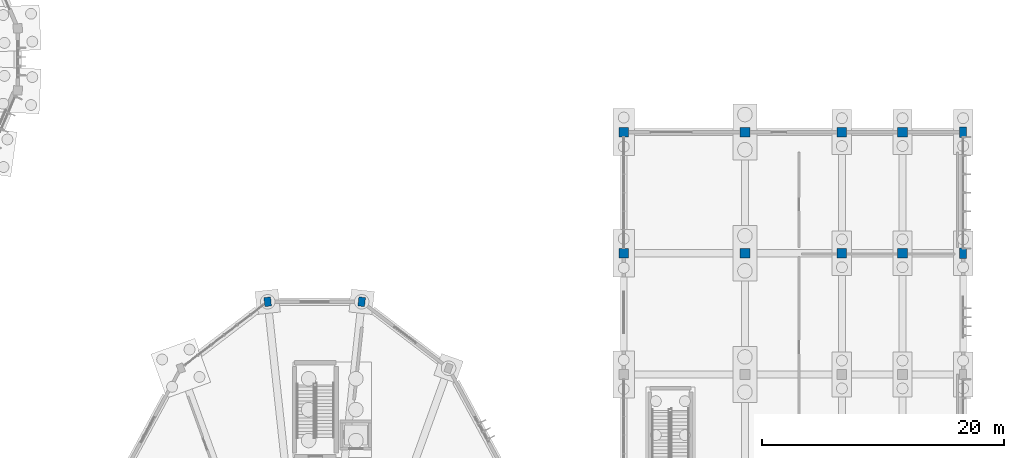
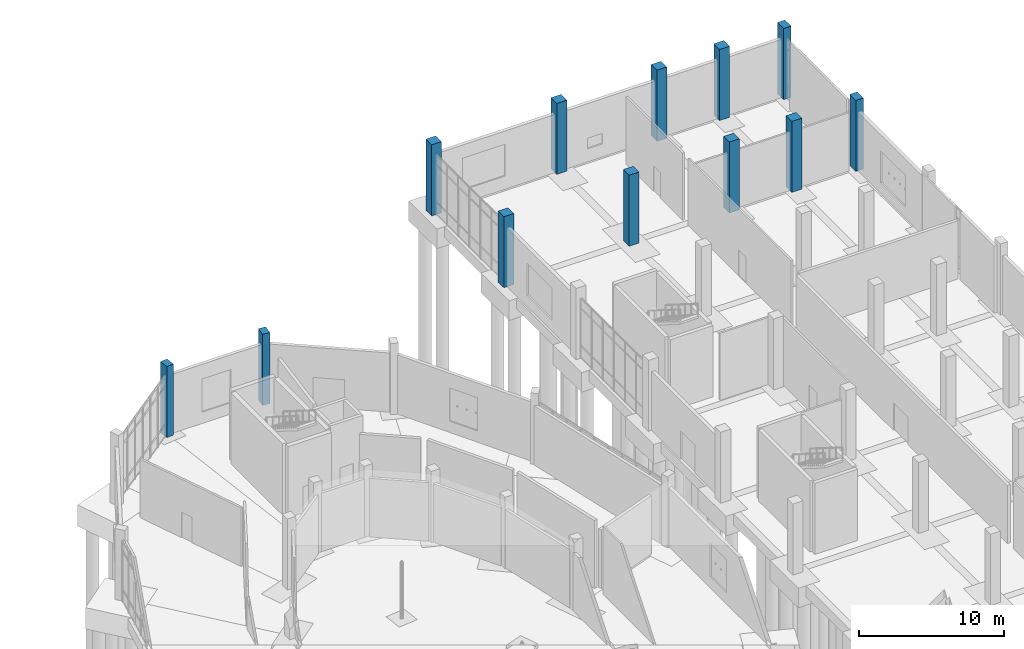
# One storey, part 30 of 140: 12 columns.
"""IFC4 building model written with IfcOpenShell, lengths in metres."""

from ifc_helpers import new_model, si_unit, direction, frame, origin, origin_2d, place, context, subcontext, project, spatial, rectangle, extrude, material, material_profile, profile_set, type_object, element, save


model = new_model("IFC4")

# Units and contexts
model_context = context("Model", 3, precision=1e-05, world=origin(), true_north=direction((0.0, 1.0)))
body_context = subcontext(model_context, "Body", "Model", "MODEL_VIEW")
ifc_project = project(units=[si_unit("LENGTHUNIT", "METRE"), si_unit("AREAUNIT", "SQUARE_METRE"), si_unit("VOLUMEUNIT", "CUBIC_METRE"), si_unit("PLANEANGLEUNIT", "RADIAN"), si_unit("MASSUNIT", "GRAM", prefix="KILO")], contexts=[model_context])

# Site, building, storey
site_placement = place(None, origin())
site = spatial("IfcSite", under=ifc_project, at=site_placement, CompositionType="ELEMENT")
building_placement = place(site_placement, origin())
building = spatial("IfcBuilding", under=site, at=building_placement, Name="Corvandel Quay Wholesale Market", CompositionType="ELEMENT")
storey_placement = place(building_placement, origin())
storey = spatial("IfcBuildingStorey", under=building, at=storey_placement, Name="L00", CompositionType="ELEMENT", Elevation=0.0)

# Columns
ifc_material = material(Name="Precast concrete C45/55", Category="concrete")
ifc_material_profile_1 = material_profile(ifc_material, rectangle(XDim=0.60009765625, YDim=0.85009765625, at=origin_2d()), Name="PC-COL-600x850")
ifc_profile_set_1 = profile_set([ifc_material_profile_1], Name="Precast concrete C45/55")
column_type_1 = type_object("IfcColumnType", Name="Colonnade Pier C08 600x850", PredefinedType="COLUMN", material=ifc_profile_set_1)
for number, where, z_axis, x_axis, name in (
    (1, (248.0, 100.0, 0.0), (0.0, 0.0, 1.0), (1.0, 0.0, 0.0), "Column COL-0940"),
    (2, (248.0, 110.0, 0.0), (0.0, 0.0, 1.0), (1.0, 0.0, 0.0), "Column COL-0942"),
):
    element("IfcColumn", number, at=place(storey_placement, frame(where, z_axis=z_axis, x_axis=x_axis)), inside=storey, type_object=column_type_1, Name=name, PredefinedType="COLUMN", context=body_context, shape_type="SweptSolid", body=[
        extrude(rectangle(XDim=0.60009765625, YDim=0.85009765625, at=origin_2d()), origin(), (0.0, 0.0, 1.0), 6.0),
    ])
ifc_material_profile_2 = material_profile(ifc_material, rectangle(XDim=0.550048828125, YDim=0.75, at=origin_2d()), Name="PC-COL-550x750")
ifc_profile_set_2 = profile_set([ifc_material_profile_2], Name="Precast concrete C45/55")
column_type_2 = type_object("IfcColumnType", Name="Pavilion Pier C09 550x750", PredefinedType="COLUMN", material=ifc_profile_set_2)
for number, where, z_axis, x_axis, name in (
    (3, (198.37890625, 96.0, 0.0), (0.0, 0.0, 1.0), (-0.994244832633, 0.107131754314, 0.0), "Column COL-0498"),
    (4, (190.62109375, 96.0, 0.0), (0.0, 0.0, 1.0), (0.994244832633, 0.107131754314, 0.0), "Column COL-0504"),
):
    element("IfcColumn", number, at=place(storey_placement, frame(where, z_axis=z_axis, x_axis=x_axis)), inside=storey, type_object=column_type_2, Name=name, PredefinedType="COLUMN", context=body_context, shape_type="SweptSolid", body=[
        extrude(rectangle(XDim=0.550048828125, YDim=0.75, at=origin_2d()), origin(), (0.0, 0.0, 1.0), 6.0),
    ])
ifc_material_profile_3 = material_profile(ifc_material, rectangle(XDim=0.800048828125, YDim=0.800048828125, at=origin_2d()), Name="PC-COL-800x800")
ifc_profile_set_3 = profile_set([ifc_material_profile_3], Name="Precast concrete C45/55")
column_type_3 = type_object("IfcColumnType", Name="Precast Column C02 800x800", PredefinedType="COLUMN", material=ifc_profile_set_3)
for number, where, z_axis, x_axis, name in (
    (5, (220.0, 100.0, 0.0), (0.0, 0.0, 1.0), (1.0, 0.0, 0.0), "Column COL-0807"),
    (6, (220.0, 110.0, 0.0), (0.0, 0.0, 1.0), (1.0, 0.0, 0.0), "Column COL-0810"),
    (7, (230.0, 100.0, 0.0), (0.0, 0.0, 1.0), (1.0, 0.0, 0.0), "Column COL-0847"),
    (8, (230.0, 110.0, 0.0), (0.0, 0.0, 1.0), (1.0, 0.0, 0.0), "Column COL-0850"),
    (9, (238.0, 100.0, 0.0), (0.0, 0.0, 1.0), (1.0, 0.0, 0.0), "Column COL-0887"),
    (10, (238.0, 110.0, 0.0), (0.0, 0.0, 1.0), (1.0, 0.0, 0.0), "Column COL-0890"),
    (11, (243.0, 100.0, 0.0), (0.0, 0.0, 1.0), (1.0, 0.0, 0.0), "Column COL-0918"),
    (12, (243.0, 110.0, 0.0), (0.0, 0.0, 1.0), (1.0, 0.0, 0.0), "Column COL-0921"),
):
    element("IfcColumn", number, at=place(storey_placement, frame(where, z_axis=z_axis, x_axis=x_axis)), inside=storey, type_object=column_type_3, Name=name, PredefinedType="COLUMN", context=body_context, shape_type="SweptSolid", body=[
        extrude(rectangle(XDim=0.800048828125, YDim=0.800048828125, at=origin_2d()), origin(), (0.0, 0.0, 1.0), 6.0),
    ])

save(model, "model.ifc")
